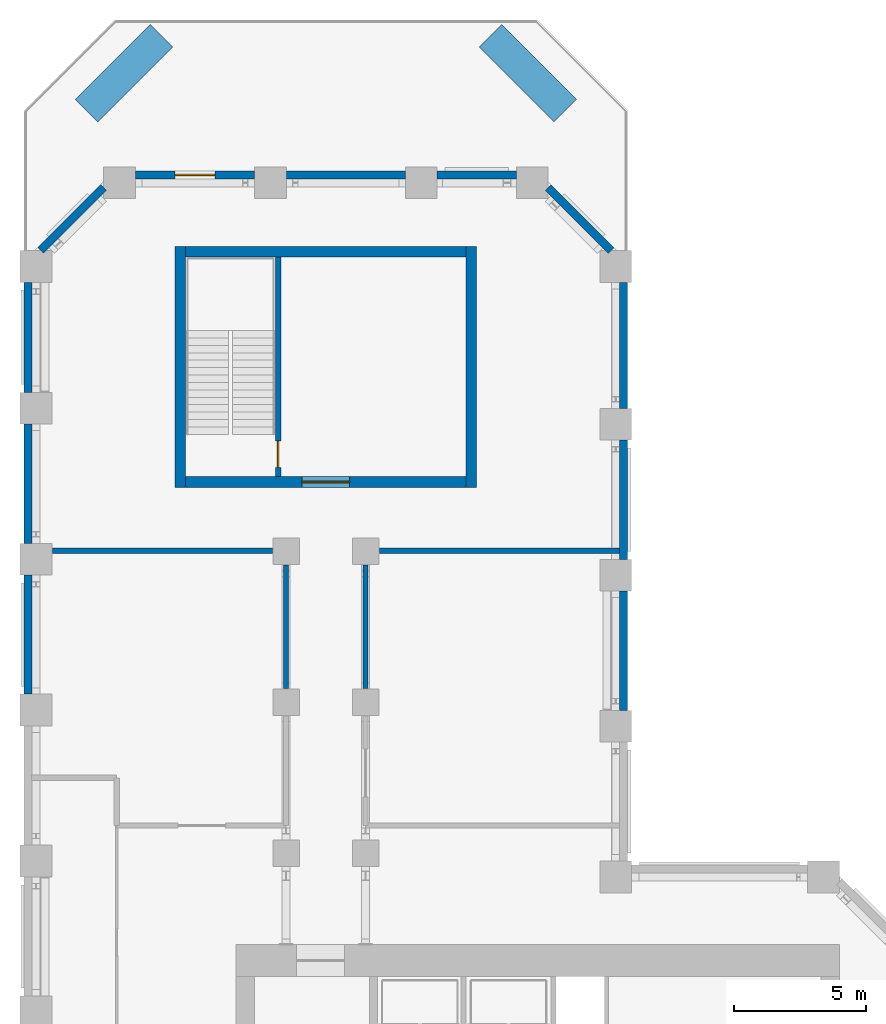
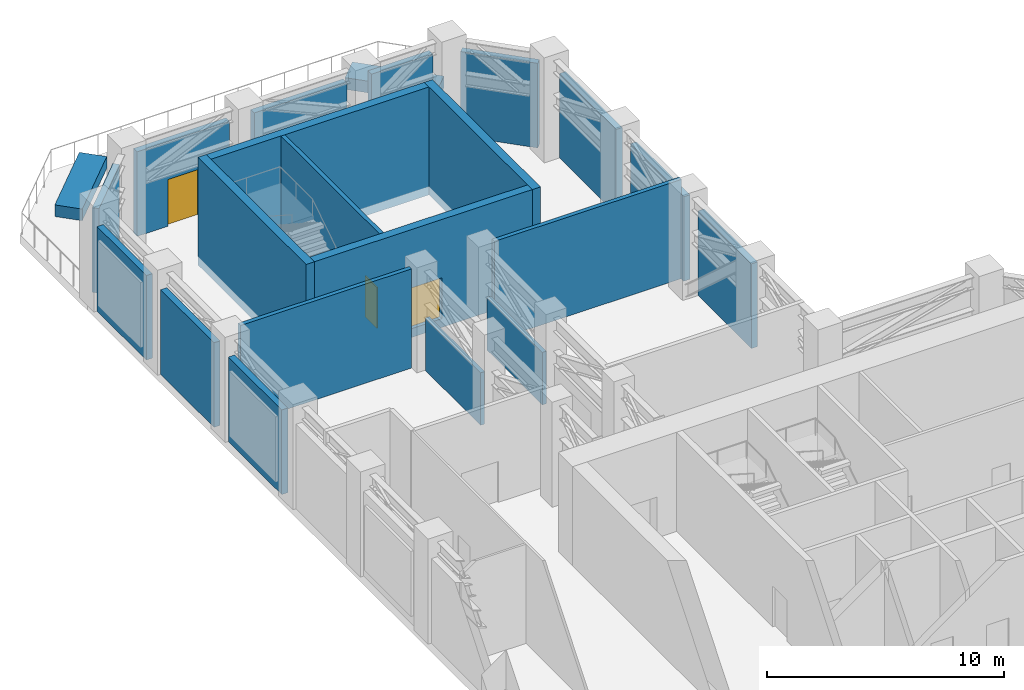
# One storey, part 11 of 14: 22 walls, 3 doors, 3 openings.
"""IFC4 building model written with IfcOpenShell, lengths in metres."""

import ifcopenshell
import ifcopenshell.guid

model = None  # the IFC model being written
_history = None  # IfcOwnerHistory: only IFC2X3 demands one
_inside = {}  # id of a spatial element -> (the spatial element, [elements in it])
_under = {}  # id of a project, library or spatial element -> (it, [spatial elements below it])
_declared = {}  # id of a project -> (the project, [libraries it declares])
_typed = {}  # id of a type object -> (the type object, [elements of that type])
_made_of = {}  # id of a material, layer set ... -> (it, [elements and type objects made of it])


def new_model(schema):
    """Start an empty IFC model of exactly this schema.

    Asked for "IFC4X3", IfcOpenShell would pick the latest addendum, in which some entities
    have other attributes; the version numbers below select the first issue.
    IFC2X3 requires an IfcOwnerHistory on every rooted entity: one is made here for all.
    """
    global model, _history
    if schema == "IFC4X3":
        model = ifcopenshell.file(schema_version=(4, 3, 0, 0))
    else:
        model = ifcopenshell.file(schema=schema)
    _inside.clear()
    _under.clear()
    _declared.clear()
    _typed.clear()
    _made_of.clear()
    _history = None
    if model.schema == "IFC2X3":
        org = make("IfcOrganization", Name="unknown")
        user = make(
            "IfcPersonAndOrganization",
            ThePerson=make("IfcPerson", FamilyName="unknown"),
            TheOrganization=org,
        )
        app = make(
            "IfcApplication",
            ApplicationDeveloper=org,
            Version="unknown",
            ApplicationFullName="unknown",
            ApplicationIdentifier="unknown",
        )
        _history = make(
            "IfcOwnerHistory",
            OwningUser=user,
            OwningApplication=app,
            ChangeAction="ADDED",
            CreationDate=0,
        )
    return model


def make(cls, **values):
    """One entity of the class cls with the attributes given. An attribute that is None is left unset."""
    return model.create_entity(
        cls, **{name: value for name, value in values.items() if value is not None}
    )


def rooted(cls, **values):
    """An entity with a GlobalId (a new one), such as an element, a storey or a relation."""
    return make(cls, GlobalId=ifcopenshell.guid.new(), OwnerHistory=_history, **values)


def si_unit(unit_type, name, prefix=None):
    """IfcSIUnit, for example si_unit("LENGTHUNIT", "METRE", prefix="MILLI")."""
    return make("IfcSIUnit", UnitType=unit_type, Prefix=prefix, Name=name)


def assignment(units):
    """IfcUnitAssignment: the units of a project."""
    return None if units is None else make("IfcUnitAssignment", Units=units)


def point(xyz):
    """IfcCartesianPoint."""
    return None if xyz is None else make("IfcCartesianPoint", Coordinates=xyz)


def direction(xyz):
    """IfcDirection."""
    return None if xyz is None else make("IfcDirection", DirectionRatios=xyz)


def frame(location, z_axis=None, x_axis=None):
    """IfcAxis2Placement3D, a coordinate frame: its origin and axes. An axis left out is left unset."""
    return make(
        "IfcAxis2Placement3D",
        Location=point(location),
        Axis=direction(z_axis),
        RefDirection=direction(x_axis),
    )


def frame_2d(location, x_axis=None):
    """IfcAxis2Placement2D, a coordinate frame in the plane: its origin and x axis."""
    return make(
        "IfcAxis2Placement2D", Location=point(location), RefDirection=direction(x_axis)
    )


def origin():
    """The frame at (0, 0, 0) with its axes left unset."""
    return frame((0.0, 0.0, 0.0))


def place(relative_to, where):
    """IfcLocalPlacement: puts the frame where relative to a parent placement (None: the world)."""
    return make(
        "IfcLocalPlacement", PlacementRelTo=relative_to, RelativePlacement=where
    )


def context(
    kind, dimensions, precision=None, world=None, true_north=None, identifier=None
):
    """IfcGeometricRepresentationContext, for example the 3D "Model" context."""
    return make(
        "IfcGeometricRepresentationContext",
        ContextIdentifier=identifier,
        ContextType=kind,
        CoordinateSpaceDimension=dimensions,
        Precision=precision,
        WorldCoordinateSystem=world,
        TrueNorth=true_north,
    )


def subcontext(parent, identifier, kind, view, scale=None):
    """IfcGeometricRepresentationSubContext, for example "Body" below "Model"."""
    return make(
        "IfcGeometricRepresentationSubContext",
        ContextIdentifier=identifier,
        ContextType=kind,
        ParentContext=parent,
        TargetScale=scale,
        TargetView=view,
    )


def project(units=None, contexts=None):
    """IfcProject with its units and contexts."""
    return rooted(
        "IfcProject",
        Name="project",
        RepresentationContexts=contexts,
        UnitsInContext=assignment(units),
    )


def spatial(cls, under=None, at=None, **own):
    """A site, building, storey or space (cls), placed at a placement, below another one or the project."""
    s = rooted(cls, ObjectPlacement=at, **own)
    if under is not None:
        _under.setdefault(under.id(), (under, []))[1].append(s)
    return s


def profile(cls, at=None, kind="AREA", **sizes):
    """A parametric profile (cls). Its sizes go by their IFC names, for example OverallWidth=200.0."""
    return make(cls, ProfileType=kind, Position=at, **sizes)


def rectangle(**sizes):
    """IfcRectangleProfileDef."""
    return profile("IfcRectangleProfileDef", **sizes)


def extrude(swept, where, along, depth):
    """IfcExtrudedAreaSolid: the profile swept, set in the frame where, extruded along a direction by depth."""
    return make(
        "IfcExtrudedAreaSolid",
        SweptArea=swept,
        Position=where,
        ExtrudedDirection=direction(along),
        Depth=depth,
    )


def shape(context_of_items, identifier, shape_type, items):
    """IfcShapeRepresentation: the items that make up one representation, for example the "Body"."""
    return make(
        "IfcShapeRepresentation",
        ContextOfItems=context_of_items,
        RepresentationIdentifier=identifier,
        RepresentationType=shape_type,
        Items=items,
    )


def material(Name=None, Category=None):
    """IfcMaterial."""
    return make("IfcMaterial", Name=Name, Category=Category)


def layer(
    of_material, thickness, ventilated=None, Name=None, Category=None, Priority=None
):
    """IfcMaterialLayer: one layer of a wall or slab, of a material (None: an air gap)."""
    return make(
        "IfcMaterialLayer",
        Material=of_material,
        LayerThickness=thickness,
        IsVentilated=ventilated,
        Name=Name,
        Category=Category,
        Priority=Priority,
    )


def layer_set(layers, Name=None):
    """IfcMaterialLayerSet."""
    return make("IfcMaterialLayerSet", MaterialLayers=layers, LayerSetName=Name)


def made_of(thing, what):
    """Note that an element or type object is made of a material, layer set ...; save() writes the relation."""
    if what is not None:
        _made_of.setdefault(what.id(), (what, []))[1].append(thing)
    return thing


def type_object(cls, material=None, **own):
    """A type object (cls), such as IfcWallType, which elements share."""
    return made_of(rooted(cls, **own), material)


def element(
    cls,
    number,
    at=None,
    inside=None,
    cuts=None,
    type_object=None,
    material=None,
    context=None,
    identifier="Body",
    shape_type=None,
    held_by="IfcProductDefinitionShape",
    body=None,
    shapes=None,
    **own,
):
    """One element of the class cls, such as IfcWall. Its Tag is "e" and its number.

    at: its placement. inside: the storey or other place that contains it. cuts: it is an
    opening in that element (IfcRelVoidsElement). A single representation is given by context,
    identifier, shape_type and body (its items); several are given by shapes. held_by: the class
    of the entity that holds the representations. save() writes the other relations.
    """
    e = rooted(cls, Tag="e%d" % number, ObjectPlacement=at, **own)
    if body is not None:
        shapes = [shape(context, identifier, shape_type, body)]
    if shapes is not None:
        e.Representation = make(held_by, Representations=shapes)
    if inside is not None:
        _inside.setdefault(inside.id(), (inside, []))[1].append(e)
    if cuts is not None:
        rooted(
            "IfcRelVoidsElement", RelatingBuildingElement=cuts, RelatedOpeningElement=e
        )
    if type_object is not None:
        _typed.setdefault(type_object.id(), (type_object, []))[1].append(e)
    return made_of(e, material)


def fill(opening, filler):
    """IfcRelFillsElement: the door or window that sits in an opening."""
    return rooted(
        "IfcRelFillsElement",
        RelatingOpeningElement=opening,
        RelatedBuildingElement=filler,
    )


def aggregate(whole, parts):
    """IfcRelAggregates: a whole, such as a stair, and the parts it consists of."""
    return rooted("IfcRelAggregates", RelatingObject=whole, RelatedObjects=parts)


def save(model, path):
    """Write the relations noted so far, then the file.

    IfcRelAggregates (storeys below a building ...), IfcRelContainedInSpatialStructure (elements
    in a storey), IfcRelDefinesByType, IfcRelAssociatesMaterial and IfcRelDeclares: one each for
    every whole, place, type object, material and project.
    """
    for whole, parts in _under.values():
        aggregate(whole, parts)
    for where, things in _inside.values():
        rooted(
            "IfcRelContainedInSpatialStructure",
            RelatedElements=things,
            RelatingStructure=where,
        )
    for kind, things in _typed.values():
        rooted("IfcRelDefinesByType", RelatedObjects=things, RelatingType=kind)
    for what, things in _made_of.values():
        rooted("IfcRelAssociatesMaterial", RelatedObjects=things, RelatingMaterial=what)
    for by, libraries in _declared.values():
        rooted("IfcRelDeclares", RelatingContext=by, RelatedDefinitions=libraries)
    model.write(path)


model = new_model("IFC4")

# Units and contexts
model_context = context("Model", 3, precision=1e-05, world=origin(), true_north=direction((0.0, 1.0)))
body_context = subcontext(model_context, "Body", "Model", "MODEL_VIEW")
ifc_project = project(units=[si_unit("LENGTHUNIT", "METRE"), si_unit("AREAUNIT", "SQUARE_METRE"), si_unit("VOLUMEUNIT", "CUBIC_METRE"), si_unit("PLANEANGLEUNIT", "RADIAN"), si_unit("MASSUNIT", "GRAM", prefix="KILO")], contexts=[model_context])

# Site, building, storey
site_placement = place(None, origin())
site = spatial("IfcSite", under=ifc_project, at=site_placement, CompositionType="ELEMENT")
building_placement = place(site_placement, origin())
building = spatial("IfcBuilding", under=site, at=building_placement, Name="Meshkara Civic Tower", CompositionType="ELEMENT")
storey_placement = place(building_placement, frame((0.0, 0.0, 220.199951171875)))
storey = spatial("IfcBuildingStorey", under=building, at=storey_placement, Name="L50", CompositionType="ELEMENT", Elevation=220.199951171875)

# Walls
ifc_material_1 = material(Name="Insulated infill panel with bronze anodised aluminium cladding", Category="aluminium")
ifc_layer_1 = layer(ifc_material_1, 0.300048828125)
ifc_layer_set_1 = layer_set([ifc_layer_1], Name="EXTERNAL INFILL WALL 300")
wall_type_1 = type_object("IfcWallType", Name="EXTERNAL INFILL WALL 300", PredefinedType="SOLIDWALL", material=ifc_layer_set_1)
for number, where, z_axis, x_axis, name in (
    (1, (22.64990234375, 45.75, 0.0), (0.0, 0.0, 1.0), (0.0, 1.0, 0.0), "External wall"),
    (2, (22.64990234375, 51.450927734375, 0.0), (0.0, 0.0, 1.0), (0.0, 1.0, 0.0), "External wall"),
):
    element("IfcWall", number, at=place(storey_placement, frame(where, z_axis=z_axis, x_axis=x_axis)), inside=storey, type_object=wall_type_1, Name=name, PredefinedType="SOLIDWALL", context=body_context, shape_type="SweptSolid", body=[
        extrude(rectangle(XDim=4.4990234375, YDim=0.300048828125, at=frame_2d((2.24951171875, 0.0))), origin(), (0.0, 0.0, 1.0), 4.35009765625),
    ])
wall_1_placement = place(storey_placement, frame((22.64990234375, 57.14990234375, 0.0), z_axis=(0.0, 0.0, 1.0), x_axis=(0.0, 1.0, 0.0)))
element("IfcWall", 3, at=wall_1_placement, inside=storey, type_object=wall_type_1, Name="External wall", PredefinedType="SOLIDWALL", context=body_context, shape_type="SweptSolid", body=[
    extrude(rectangle(XDim=4.76318359375, YDim=0.300048828125, at=frame_2d((2.381591796875, 0.0))), origin(), (0.0, 0.0, 1.0), 4.35009765625),
])
wall_2_placement = place(storey_placement, frame((22.174072265625, 63.114013671875, 0.0), z_axis=(0.0, 0.0, 1.0), x_axis=(-0.707143047722, 0.707070512791, 0.0)))
element("IfcWall", 4, at=wall_2_placement, inside=storey, type_object=wall_type_1, Name="External wall", PredefinedType="SOLIDWALL", context=body_context, shape_type="SweptSolid", body=[
    extrude(rectangle(XDim=3.36572265625, YDim=0.300048828125, at=frame_2d((1.682861328125, 0.0))), origin(), (0.0, 0.0, 1.0), 4.35009765625),
])
wall_3_placement = place(storey_placement, frame((18.593017578125, 65.969970703125, 0.0), z_axis=(0.0, 0.0, 1.0), x_axis=(-1.0, 0.0, 0.0)))
element("IfcWall", 5, at=wall_3_placement, inside=storey, type_object=wall_type_1, Name="External wall", PredefinedType="SOLIDWALL", context=body_context, shape_type="SweptSolid", body=[
    extrude(rectangle(XDim=2.986083984375, YDim=0.300048828125, at=frame_2d((1.4931640625, 0.0))), origin(), (0.0, 0.0, 1.0), 4.35009765625),
])
wall_4_placement = place(storey_placement, frame((14.405029296875, 65.969970703125, 0.0), z_axis=(0.0, 0.0, 1.0), x_axis=(-1.0, 0.0, 0.0)))
element("IfcWall", 6, at=wall_4_placement, inside=storey, type_object=wall_type_1, Name="External wall", PredefinedType="SOLIDWALL", context=body_context, shape_type="SweptSolid", body=[
    extrude(rectangle(XDim=4.4990234375, YDim=0.300048828125, at=frame_2d((2.24951171875, 0.0))), origin(), (0.0, 0.0, 1.0), 4.35009765625),
])

# Wall, opening, door
wall_5_placement = place(storey_placement, frame((8.705078125, 65.969970703125, 0.0), z_axis=(0.0, 0.0, 1.0), x_axis=(-1.0, 0.0, 0.0)))
wall_5 = element("IfcWall", 7, at=wall_5_placement, inside=storey, type_object=wall_type_1, Name="External wall", PredefinedType="SOLIDWALL", context=body_context, shape_type="SweptSolid", body=[
    extrude(rectangle(XDim=4.498046875, YDim=0.300048828125, at=frame_2d((2.2490234375, 0.0))), origin(), (0.0, 0.0, 1.0), 4.35009765625),
])
opening_1_placement = place(wall_5_placement, frame((1.4990234375, 0.0, 0.0)))
opening_1 = element("IfcOpeningElement", 8, at=opening_1_placement, cuts=wall_5, Name="Opening L50-L001", PredefinedType="OPENING", context=body_context, shape_type="SweptSolid", body=[
    extrude(rectangle(XDim=1.5, YDim=2.39990234375, at=frame_2d((0.75, 1.199951171875))), frame((0.0, 0.159912109375, 0.0), z_axis=(0.0, -1.0, 0.0), x_axis=(1.0, 0.0, 0.0)), (0.0, 0.0, 1.0), 0.320068359375),
])
ifc_material_2 = material(Name="Bronze anodised aluminium", Category="aluminium")
door_type_1 = type_object("IfcDoorType", Name="TERRACE DOOR 1500x2400", OperationType="DOUBLE_DOOR_SINGLE_SWING", PredefinedType="DOOR", material=ifc_material_2)
door_1_placement = place(opening_1_placement, origin())
door_1 = element("IfcDoor", 9, at=door_1_placement, inside=storey, type_object=door_type_1, Name="L50-L001", OperationType="DOUBLE_DOOR_SINGLE_SWING", OverallHeight=2.39990234375, OverallWidth=1.5, PredefinedType="DOOR", context=body_context, shape_type="SweptSolid", body=[
    extrude(rectangle(XDim=1.5, YDim=2.39990234375, at=frame_2d((0.75, 1.199951171875))), frame((0.0, 0.02490234375, 0.0), z_axis=(0.0, -1.0, 0.0), x_axis=(1.0, 0.0, 0.0)), (0.0, 0.0, 1.0), 0.050048828125),
])
fill(opening_1, door_1)

# Walls
wall_6_placement = place(storey_placement, frame((3.006103515625, 65.493896484375, 0.0), z_axis=(0.0, 0.0, 1.0), x_axis=(-0.707143047722, -0.707070512791, 0.0)))
element("IfcWall", 10, at=wall_6_placement, inside=storey, type_object=wall_type_1, Name="External wall", PredefinedType="SOLIDWALL", context=body_context, shape_type="SweptSolid", body=[
    extrude(rectangle(XDim=3.36572265625, YDim=0.300048828125, at=frame_2d((1.682861328125, 0.0))), origin(), (0.0, 0.0, 1.0), 4.35009765625),
])
wall_7_placement = place(storey_placement, frame((0.14990234375, 61.9140625, 0.0), z_axis=(0.0, 0.0, 1.0), x_axis=(0.0, -1.0, 0.0)))
element("IfcWall", 11, at=wall_7_placement, inside=storey, type_object=wall_type_1, Name="External wall", PredefinedType="SOLIDWALL", context=body_context, shape_type="SweptSolid", body=[
    extrude(rectangle(XDim=4.1591796875, YDim=0.300048828125, at=frame_2d((2.07958984375, 0.0))), origin(), (0.0, 0.0, 1.0), 4.35009765625),
])
wall_8_placement = place(storey_placement, frame((0.14990234375, 56.554931640625, 0.0), z_axis=(0.0, 0.0, 1.0), x_axis=(0.0, -1.0, 0.0)))
element("IfcWall", 12, at=wall_8_placement, inside=storey, type_object=wall_type_1, Name="External wall", PredefinedType="SOLIDWALL", context=body_context, shape_type="SweptSolid", body=[
    extrude(rectangle(XDim=4.5, YDim=0.300048828125, at=frame_2d((2.25, 0.0))), origin(), (0.0, 0.0, 1.0), 4.35009765625),
])
wall_9_placement = place(storey_placement, frame((0.14990234375, 50.85498046875, 0.0), z_axis=(0.0, 0.0, 1.0), x_axis=(0.0, -1.0, 0.0)))
element("IfcWall", 13, at=wall_9_placement, inside=storey, type_object=wall_type_1, Name="External wall", PredefinedType="SOLIDWALL", context=body_context, shape_type="SweptSolid", body=[
    extrude(rectangle(XDim=4.4990234375, YDim=0.300048828125, at=frame_2d((2.24951171875, 0.0))), origin(), (0.0, 0.0, 1.0), 4.35009765625),
])
ifc_material_3 = material(Name="Concrete C70", Category="concrete")
ifc_layer_2 = layer(ifc_material_3, 0.39990234375)
ifc_layer_set_2 = layer_set([ifc_layer_2], Name="End core ring wall 400 C70")
wall_type_2 = type_object("IfcWallType", Name="End core ring wall 400 C70", PredefinedType="SHEAR", material=ifc_layer_set_2)
for number, where, z_axis, x_axis, name in (
    (14, (5.89990234375, 54.169921875, -0.449951171875), (0.0, 0.0, 1.0), (0.0, 1.0, 0.0), "L50-C021"),
    (15, (16.89990234375, 54.169921875, -0.449951171875), (0.0, 0.0, 1.0), (0.0, 1.0, 0.0), "L50-C022"),
):
    element("IfcWall", number, at=place(storey_placement, frame(where, z_axis=z_axis, x_axis=x_axis)), inside=storey, type_object=wall_type_2, Name=name, PredefinedType="SHEAR", context=body_context, shape_type="SweptSolid", body=[
        extrude(rectangle(XDim=9.10009765625, YDim=0.39990234375, at=frame_2d((4.550048828125, 0.0))), origin(), (0.0, 0.0, 1.0), 5.550048828125),
    ])

# Wall, opening, door
wall_10_placement = place(storey_placement, frame((6.10009765625, 54.3701171875, -0.449951171875), z_axis=(0.0, 0.0, 1.0), x_axis=(1.0, 0.0, 0.0)))
wall_10 = element("IfcWall", 16, at=wall_10_placement, inside=storey, type_object=wall_type_2, Name="L50-C023", PredefinedType="SHEAR", context=body_context, shape_type="SweptSolid", body=[
    extrude(rectangle(XDim=10.599853515625, YDim=0.39990234375, at=frame_2d((5.2998046875, 0.0))), origin(), (0.0, 0.0, 1.0), 5.550048828125),
])
opening_2_placement = place(wall_10_placement, frame((4.39990234375, 0.0, 0.449951171875)))
opening_2 = element("IfcOpeningElement", 17, at=opening_2_placement, cuts=wall_10, Name="Opening L50-K102", PredefinedType="OPENING", context=body_context, shape_type="SweptSolid", body=[
    extrude(rectangle(XDim=1.800048828125, YDim=2.10009765625, at=frame_2d((0.89990234375, 1.050048828125))), frame((0.0, 0.2099609375, 0.0), z_axis=(0.0, -1.0, 0.0), x_axis=(1.0, 0.0, 0.0)), (0.0, 0.0, 1.0), 0.419921875),
])
ifc_material_4 = material(Name="Fire-rated door leaf in steel frame", Category="steel")
door_type_2 = type_object("IfcDoorType", Name="Core double door 1800 EI 60", OperationType="DOUBLE_DOOR_SINGLE_SWING", PredefinedType="DOOR", material=ifc_material_4)
door_2_placement = place(opening_2_placement, origin())
door_2 = element("IfcDoor", 18, at=door_2_placement, inside=storey, type_object=door_type_2, Name="L50-K102", OperationType="DOUBLE_DOOR_SINGLE_SWING", OverallHeight=2.10009765625, OverallWidth=1.800048828125, PredefinedType="DOOR", context=body_context, shape_type="SweptSolid", body=[
    extrude(rectangle(XDim=1.800048828125, YDim=2.10009765625, at=frame_2d((0.89990234375, 1.050048828125))), frame((0.0, 0.02490234375, 0.0), z_axis=(0.0, -1.0, 0.0), x_axis=(1.0, 0.0, 0.0)), (0.0, 0.0, 1.0), 0.050048828125),
])
fill(opening_2, door_2)

# Walls
wall_11_placement = place(storey_placement, frame((6.10009765625, 63.070068359375, -0.449951171875), z_axis=(0.0, 0.0, 1.0), x_axis=(1.0, 0.0, 0.0)))
element("IfcWall", 19, at=wall_11_placement, inside=storey, type_object=wall_type_2, Name="L50-C024", PredefinedType="SHEAR", context=body_context, shape_type="SweptSolid", body=[
    extrude(rectangle(XDim=10.599853515625, YDim=0.39990234375, at=frame_2d((5.2998046875, 0.0))), origin(), (0.0, 0.0, 1.0), 5.550048828125),
])
ifc_material_5 = material(Name="Fire-rated wall 200")
ifc_layer_3 = layer(ifc_material_5, 0.199951171875)
ifc_layer_set_3 = layer_set([ifc_layer_3], Name="Fire-rated wall 200")
wall_type_3 = type_object("IfcWallType", Name="Fire-rated wall 200", PredefinedType="PARTITIONING", material=ifc_layer_set_3)
wall_12_placement = place(storey_placement, frame((1.070068359375, 51.77001953125, 0.0), z_axis=(0.0, 0.0, 1.0), x_axis=(1.0, 0.0, 0.0)))
element("IfcWall", 20, at=wall_12_placement, inside=storey, type_object=wall_type_3, Name="L50-R001", PredefinedType="PARTITIONING", context=body_context, shape_type="SweptSolid", body=[
    extrude(rectangle(XDim=8.309814453125, YDim=0.199951171875, at=frame_2d((4.15478515625, 0.0))), origin(), (0.0, 0.0, 1.0), 5.10009765625),
])
for number, where, z_axis, x_axis, name in (
    (21, (9.89990234375, 51.22998046875, 0.0), (0.0, 0.0, 1.0), (0.0, -1.0, 0.0), "L50-R005"),
    (22, (12.89990234375, 46.570068359375, 0.0), (0.0, 0.0, 1.0), (0.0, 1.0, 0.0), "L50-R009"),
):
    element("IfcWall", number, at=place(storey_placement, frame(where, z_axis=z_axis, x_axis=x_axis)), inside=storey, type_object=wall_type_3, Name=name, PredefinedType="PARTITIONING", context=body_context, shape_type="SweptSolid", body=[
        extrude(rectangle(XDim=4.659912109375, YDim=0.199951171875, at=frame_2d((2.330078125, 0.0))), origin(), (0.0, 0.0, 1.0), 2.699951171875),
    ])
wall_13_placement = place(storey_placement, frame((13.419921875, 51.77001953125, 0.0), z_axis=(0.0, 0.0, 1.0), x_axis=(1.0, 0.0, 0.0)))
element("IfcWall", 23, at=wall_13_placement, inside=storey, type_object=wall_type_3, Name="L50-R010", PredefinedType="PARTITIONING", context=body_context, shape_type="SweptSolid", body=[
    extrude(rectangle(XDim=9.10009765625, YDim=0.199951171875, at=frame_2d((4.550048828125, 0.0))), origin(), (0.0, 0.0, 1.0), 5.10009765625),
])
ifc_material_6 = material(Name="Concrete C40", Category="concrete")
ifc_layer_4 = layer(ifc_material_6, 1.199951171875)
ifc_layer_set_4 = layer_set([ifc_layer_4], Name="PLANTING BED")
wall_type_4 = type_object("IfcWallType", Name="PLANTING BED", PredefinedType="SOLIDWALL", material=ifc_layer_set_4)
for number, where, z_axis, x_axis, name in (
    (24, (2.35791015625, 68.39599609375, 0.0), (0.0, 0.0, 1.0), (0.707106781187, 0.707106781187, 0.0), "Planting bed"),
    (25, (17.614013671875, 71.22412109375, 0.0), (0.0, 0.0, 1.0), (0.707076258372, -0.707137302683, 0.0), "Planting bed"),
):
    element("IfcWall", number, at=place(storey_placement, frame(where, z_axis=z_axis, x_axis=x_axis)), inside=storey, type_object=wall_type_4, Name=name, PredefinedType="SOLIDWALL", context=body_context, shape_type="SweptSolid", body=[
        extrude(rectangle(XDim=3.99951171875, YDim=1.199951171875, at=frame_2d((1.999755859375, 0.0))), origin(), (0.0, 0.0, 1.0), 0.60009765625),
    ])

# Wall, opening, door
ifc_material_7 = material(Name="Concrete C40/50", Category="concrete")
ifc_layer_5 = layer(ifc_material_7, 0.199951171875)
ifc_layer_set_5 = layer_set([ifc_layer_5], Name="Stair enclosure wall 200 C40/50")
wall_type_5 = type_object("IfcWallType", Name="Stair enclosure wall 200 C40/50", PredefinedType="SOLIDWALL", material=ifc_layer_set_5)
wall_14_placement = place(storey_placement, frame((9.60009765625, 54.570068359375, 0.0), z_axis=(0.0, 0.0, 1.0), x_axis=(0.0, 1.0, 0.0)))
wall_14 = element("IfcWall", 26, at=wall_14_placement, inside=storey, type_object=wall_type_5, Name="L50-C025", PredefinedType="SOLIDWALL", context=body_context, shape_type="SweptSolid", body=[
    extrude(rectangle(XDim=8.300048828125, YDim=0.199951171875, at=frame_2d((4.14990234375, 0.0))), origin(), (0.0, 0.0, 1.0), 5.10009765625),
])
opening_3_placement = place(wall_14_placement, frame((0.35009765625, 0.0, 0.0)))
opening_3 = element("IfcOpeningElement", 27, at=opening_3_placement, cuts=wall_14, Name="Opening L50-K101", PredefinedType="OPENING", context=body_context, shape_type="SweptSolid", body=[
    extrude(rectangle(XDim=1.0, YDim=2.10009765625, at=frame_2d((0.5, 1.050048828125))), frame((0.0, 0.10986328125, 0.0), z_axis=(0.0, -1.0, 0.0), x_axis=(1.0, 0.0, 0.0)), (0.0, 0.0, 1.0), 0.219970703125),
])
ifc_material_8 = material(Name="Fire-rated door leaf in steel frame", Category="steel")
door_type_3 = type_object("IfcDoorType", Name="Stair door 1000 EI 120", OperationType="SINGLE_SWING_LEFT", PredefinedType="DOOR", material=ifc_material_8)
door_3_placement = place(opening_3_placement, origin())
door_3 = element("IfcDoor", 28, at=door_3_placement, inside=storey, type_object=door_type_3, Name="L50-K101", OperationType="SINGLE_SWING_RIGHT", OverallHeight=2.10009765625, OverallWidth=1.0, PredefinedType="DOOR", context=body_context, shape_type="SweptSolid", body=[
    extrude(rectangle(XDim=1.0, YDim=2.10009765625, at=frame_2d((0.5, 1.050048828125))), frame((0.0, 0.02490234375, 0.0), z_axis=(0.0, -1.0, 0.0), x_axis=(1.0, 0.0, 0.0)), (0.0, 0.0, 1.0), 0.050048828125),
])
fill(opening_3, door_3)

save(model, "model.ifc")
